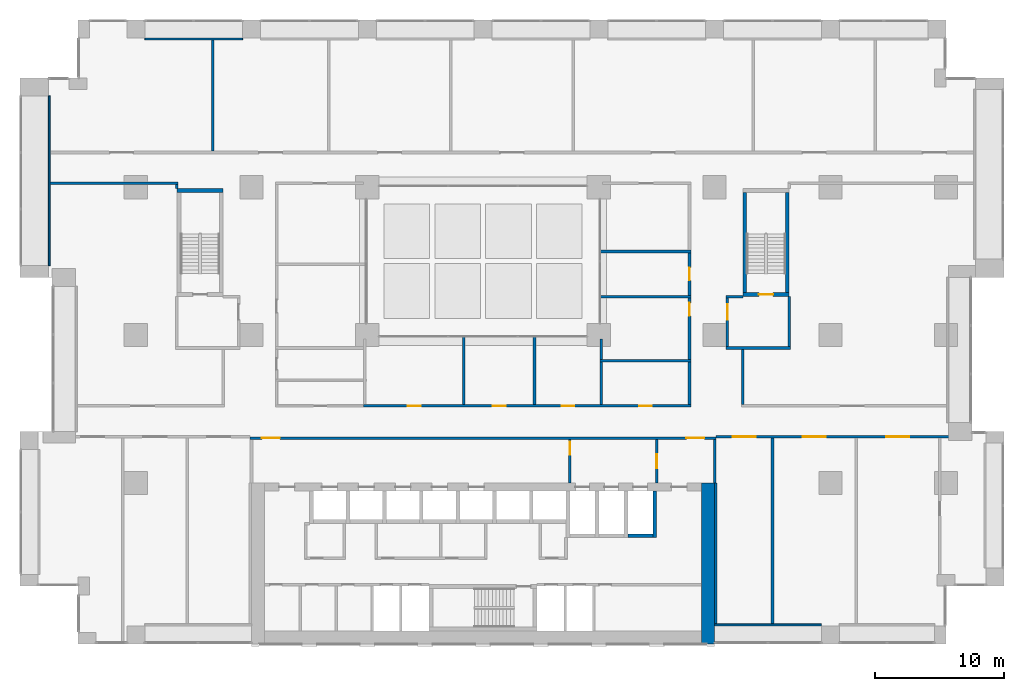
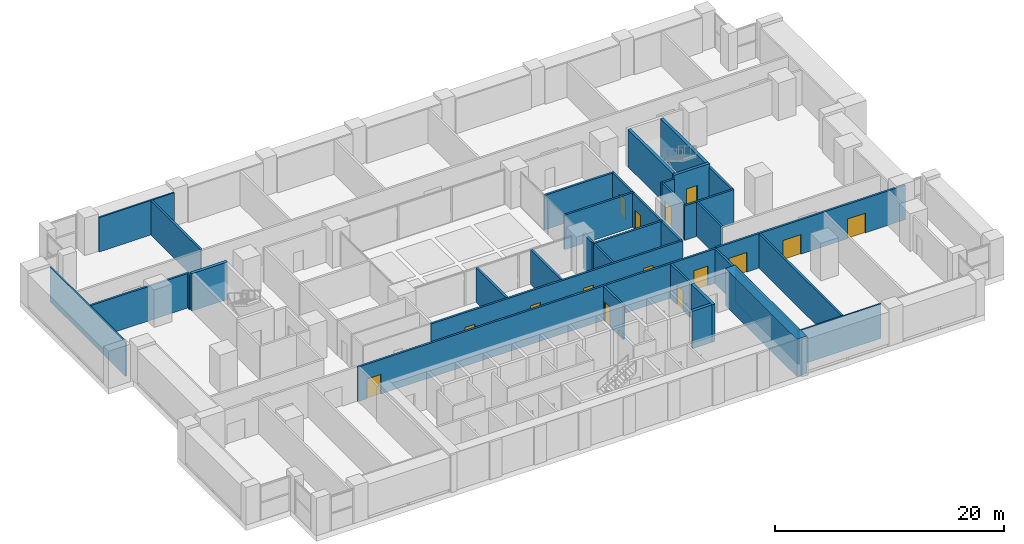
# One storey, part 22 of 24: 36 walls, 15 doors, 15 openings.
"""IFC4 building model written with IfcOpenShell, lengths in metres."""

from ifc_helpers import new_model, si_unit, direction, frame, frame_2d, origin, place, context, subcontext, project, spatial, rectangle, extrude, material, layer, layer_set, type_object, element, fill, save


model = new_model("IFC4")

# Units and contexts
model_context = context("Model", 3, precision=1e-05, world=origin(), true_north=direction((0.0, 1.0)))
body_context = subcontext(model_context, "Body", "Model", "MODEL_VIEW")
ifc_project = project(units=[si_unit("LENGTHUNIT", "METRE"), si_unit("AREAUNIT", "SQUARE_METRE"), si_unit("VOLUMEUNIT", "CUBIC_METRE"), si_unit("PLANEANGLEUNIT", "RADIAN"), si_unit("MASSUNIT", "GRAM", prefix="KILO")], contexts=[model_context])

# Site, building, storey
site_placement = place(None, origin())
site = spatial("IfcSite", under=ifc_project, at=site_placement, CompositionType="ELEMENT")
building_placement = place(site_placement, origin())
building = spatial("IfcBuilding", under=site, at=building_placement, Name="Brigalow Station Residences", CompositionType="ELEMENT")
storey_placement = place(building_placement, frame((0.0, 0.0, 15.5)))
storey = spatial("IfcBuildingStorey", under=building, at=storey_placement, Name="L03", CompositionType="ELEMENT", Elevation=15.5)

# Walls
ifc_material_1 = material(Name="Concrete C80", Category="concrete")
ifc_layer_1 = layer(ifc_material_1, 1.0)
ifc_layer_set_1 = layer_set([ifc_layer_1], Name="CORE SHEAR WALL 1000 C80")
wall_type_1 = type_object("IfcWallType", Name="CORE SHEAR WALL 1000 C80", PredefinedType="SHEAR", material=ifc_layer_set_1)
wall_1_placement = place(storey_placement, frame((53.5, 0.0, 0.0), z_axis=(0.0, 0.0, 1.0), x_axis=(0.0, 1.0, 0.0)))
element("IfcWall", 1, at=wall_1_placement, inside=storey, type_object=wall_type_1, Name="CORE WALL OUT-E L03", PredefinedType="SHEAR", context=body_context, shape_type="SweptSolid", body=[
    extrude(rectangle(XDim=12.5, YDim=1.0, at=frame_2d((6.25, 0.0))), origin(), (0.0, 0.0, 1.0), 4.0),
])
ifc_material_2 = material(Name="Concrete C80", Category="concrete")
ifc_layer_2 = layer(ifc_material_2, 0.300048828125)
ifc_layer_set_2 = layer_set([ifc_layer_2], Name="CORE SHEAR WALL 300 C80")
wall_type_2 = type_object("IfcWallType", Name="CORE SHEAR WALL 300 C80", PredefinedType="SHEAR", material=ifc_layer_set_2)
wall_2_placement = place(storey_placement, frame((47.25, 8.39990234375, 0.0), z_axis=(0.0, 0.0, 1.0), x_axis=(1.0, 0.0, 0.0)))
element("IfcWall", 2, at=wall_2_placement, inside=storey, type_object=wall_type_2, Name="CORE WALL SH-SL1-S L03", PredefinedType="SHEAR", context=body_context, shape_type="SweptSolid", body=[
    extrude(rectangle(XDim=1.949951171875, YDim=0.300048828125, at=frame_2d((0.97509765625, 0.0))), origin(), (0.0, 0.0, 1.0), 4.0),
])
wall_3_placement = place(storey_placement, frame((49.35009765625, 8.25, 0.0), z_axis=(0.0, 0.0, 1.0), x_axis=(0.0, 1.0, 0.0)))
element("IfcWall", 3, at=wall_3_placement, inside=storey, type_object=wall_type_2, Name="CORE WALL SH-SL1-E L03", PredefinedType="SHEAR", context=body_context, shape_type="SweptSolid", body=[
    extrude(rectangle(XDim=3.64990234375, YDim=0.300048828125, at=frame_2d((1.824951171875, 0.0))), origin(), (0.0, 0.0, 1.0), 4.0),
])
wall_4_placement = place(storey_placement, frame((12.199951171875, 35.25, 0.0), z_axis=(0.0, 0.0, 1.0), x_axis=(1.0, 0.0, 0.0)))
element("IfcWall", 4, at=wall_4_placement, inside=storey, type_object=wall_type_2, Name="CORE WALL ST-S1-N L03", PredefinedType="SHEAR", context=body_context, shape_type="SweptSolid", body=[
    extrude(rectangle(XDim=3.60009765625, YDim=0.300048828125, at=frame_2d((1.800048828125, 0.0))), origin(), (0.0, 0.0, 1.0), 4.0),
])

# Wall, opening, door
wall_5_placement = place(storey_placement, frame((56.199951171875, 27.14990234375, 0.0), z_axis=(0.0, 0.0, 1.0), x_axis=(1.0, 0.0, 0.0)))
wall_5 = element("IfcWall", 5, at=wall_5_placement, inside=storey, type_object=wall_type_2, Name="CORE WALL ST-S3-S L03", PredefinedType="SHEAR", context=body_context, shape_type="SweptSolid", body=[
    extrude(rectangle(XDim=3.60009765625, YDim=0.300048828125, at=frame_2d((1.800048828125, 0.0))), origin(), (0.0, 0.0, 1.0), 4.0),
])
opening_1_placement = place(wall_5_placement, frame((1.25, 0.0, 0.0)))
opening_1 = element("IfcOpeningElement", 6, at=opening_1_placement, cuts=wall_5, Name="Opening D-5018", PredefinedType="OPENING", context=body_context, shape_type="SweptSolid", body=[
    extrude(rectangle(XDim=1.10009765625, YDim=2.10009765625, at=frame_2d((0.550048828125, 1.050048828125))), frame((0.0, 0.16015625, 0.0), z_axis=(0.0, -1.0, 0.0), x_axis=(1.0, 0.0, 0.0)), (0.0, 0.0, 1.0), 0.320068359375),
])
ifc_material_3 = material(Name="Steel fire door leaf in steel frame", Category="steel")
door_type_1 = type_object("IfcDoorType", Name="STAIR DOOR 1100 x 2100 FD60S", OperationType="SINGLE_SWING_LEFT", PredefinedType="DOOR", material=ifc_material_3)
door_1_placement = place(opening_1_placement, origin())
door_1 = element("IfcDoor", 7, at=door_1_placement, inside=storey, type_object=door_type_1, Name="D-5018", OperationType="SINGLE_SWING_LEFT", OverallHeight=2.10009765625, OverallWidth=1.10009765625, PredefinedType="DOOR", context=body_context, shape_type="SweptSolid", body=[
    extrude(rectangle(XDim=1.10009765625, YDim=2.10009765625, at=frame_2d((0.550048828125, 1.050048828125))), frame((0.0, 0.02490234375, 0.0), z_axis=(0.0, -1.0, 0.0), x_axis=(1.0, 0.0, 0.0)), (0.0, 0.0, 1.0), 0.050048828125),
])
fill(opening_1, door_1)

# Walls
for number, where, z_axis, x_axis, name in (
    (8, (56.35009765625, 27.300048828125, 0.0), (0.0, 0.0, 1.0), (0.0, 1.0, 0.0), "CORE WALL ST-S3-W L03"),
    (9, (59.64990234375, 27.300048828125, 0.0), (0.0, 0.0, 1.0), (0.0, 1.0, 0.0), "CORE WALL ST-S3-E L03"),
):
    element("IfcWall", number, at=place(storey_placement, frame(where, z_axis=z_axis, x_axis=x_axis)), inside=storey, type_object=wall_type_2, Name=name, PredefinedType="SHEAR", context=body_context, shape_type="SweptSolid", body=[
        extrude(rectangle(XDim=7.800048828125, YDim=0.300048828125, at=frame_2d((3.89990234375, 0.0))), origin(), (0.0, 0.0, 1.0), 4.0),
    ])
ifc_material_4 = material(Name="Concrete blockwork", Category="masonry")
ifc_layer_3 = layer(ifc_material_4, 0.199951171875)
ifc_layer_set_3 = layer_set([ifc_layer_3], Name="FIRE RATED CORE PARTITION 200")
wall_type_3 = type_object("IfcWallType", Name="FIRE RATED CORE PARTITION 200", PredefinedType="PARTITIONING", material=ifc_layer_set_3)
wall_6_placement = place(storey_placement, frame((54.89990234375, 23.0, 0.0), z_axis=(0.0, 0.0, 1.0), x_axis=(1.0, 0.0, 0.0)))
element("IfcWall", 10, at=wall_6_placement, inside=storey, type_object=wall_type_3, Name="PW-5024", PredefinedType="PARTITIONING", context=body_context, shape_type="SweptSolid", body=[
    extrude(rectangle(XDim=5.0, YDim=0.199951171875, at=frame_2d((2.5, 0.0))), origin(), (0.0, 0.0, 1.0), 3.679931640625),
])
wall_7_placement = place(storey_placement, frame((54.89990234375, 27.0, 0.0), z_axis=(0.0, 0.0, 1.0), x_axis=(1.0, 0.0, 0.0)))
element("IfcWall", 11, at=wall_7_placement, inside=storey, type_object=wall_type_3, Name="PW-5026", PredefinedType="PARTITIONING", context=body_context, shape_type="SweptSolid", body=[
    extrude(rectangle(XDim=1.300048828125, YDim=0.199951171875, at=frame_2d((0.64990234375, 0.0))), origin(), (0.0, 0.0, 1.0), 3.679931640625),
])

# Wall, opening, door
wall_8_placement = place(storey_placement, frame((42.75, 12.5, 0.0), z_axis=(0.0, 0.0, 1.0), x_axis=(0.0, 1.0, 0.0)))
wall_8 = element("IfcWall", 12, at=wall_8_placement, inside=storey, type_object=wall_type_3, Name="PW-5014", PredefinedType="PARTITIONING", context=body_context, shape_type="SweptSolid", body=[
    extrude(rectangle(XDim=3.39990234375, YDim=0.199951171875, at=frame_2d((1.699951171875, 0.0))), origin(), (0.0, 0.0, 1.0), 3.679931640625),
])
opening_2_placement = place(wall_8_placement, frame((2.199951171875, 0.0, 0.0)))
opening_2 = element("IfcOpeningElement", 13, at=opening_2_placement, cuts=wall_8, Name="Opening D-5013", PredefinedType="OPENING", context=body_context, shape_type="SweptSolid", body=[
    extrude(rectangle(XDim=1.0, YDim=2.10009765625, at=frame_2d((0.5, 1.050048828125))), frame((0.0, 0.10986328125, 0.0), z_axis=(0.0, -1.0, 0.0), x_axis=(1.0, 0.0, 0.0)), (0.0, 0.0, 1.0), 0.219970703125),
])
ifc_material_5 = material(Name="Steel fire door leaf in steel frame", Category="steel")
door_type_2 = type_object("IfcDoorType", Name="LOBBY DOOR 1000 x 2100 FD60S", OperationType="SINGLE_SWING_LEFT", PredefinedType="DOOR", material=ifc_material_5)
door_2_placement = place(opening_2_placement, origin())
door_2 = element("IfcDoor", 14, at=door_2_placement, inside=storey, type_object=door_type_2, Name="D-5013", OperationType="SINGLE_SWING_RIGHT", OverallHeight=2.10009765625, OverallWidth=1.0, PredefinedType="DOOR", context=body_context, shape_type="SweptSolid", body=[
    extrude(rectangle(XDim=1.0, YDim=2.10009765625, at=frame_2d((0.5, 1.050048828125))), frame((0.0, 0.02490234375, 0.0), z_axis=(0.0, -1.0, 0.0), x_axis=(1.0, 0.0, 0.0)), (0.0, 0.0, 1.0), 0.050048828125),
])
fill(opening_2, door_2)

wall_9_placement = place(storey_placement, frame((49.5, 12.5, 0.0), z_axis=(0.0, 0.0, 1.0), x_axis=(0.0, 1.0, 0.0)))
wall_9 = element("IfcWall", 15, at=wall_9_placement, inside=storey, type_object=wall_type_3, Name="PW-5015", PredefinedType="PARTITIONING", context=body_context, shape_type="SweptSolid", body=[
    extrude(rectangle(XDim=3.39990234375, YDim=0.199951171875, at=frame_2d((1.699951171875, 0.0))), origin(), (0.0, 0.0, 1.0), 3.679931640625),
])
opening_3_placement = place(wall_9_placement, frame((1.14990234375, 0.0, 0.0)))
opening_3 = element("IfcOpeningElement", 16, at=opening_3_placement, cuts=wall_9, Name="Opening D-5014", PredefinedType="OPENING", context=body_context, shape_type="SweptSolid", body=[
    extrude(rectangle(XDim=1.10009765625, YDim=2.10009765625, at=frame_2d((0.550048828125, 1.050048828125))), frame((0.0, 0.10986328125, 0.0), z_axis=(0.0, -1.0, 0.0), x_axis=(1.0, 0.0, 0.0)), (0.0, 0.0, 1.0), 0.219970703125),
])
ifc_material_6 = material(Name="Steel fire door leaf in steel frame", Category="steel")
door_type_3 = type_object("IfcDoorType", Name="LOBBY DOOR 1100 x 2100 FD60S", OperationType="SINGLE_SWING_LEFT", PredefinedType="DOOR", material=ifc_material_6)
door_3_placement = place(opening_3_placement, origin())
door_3 = element("IfcDoor", 17, at=door_3_placement, inside=storey, type_object=door_type_3, Name="D-5014", OperationType="SINGLE_SWING_LEFT", OverallHeight=2.10009765625, OverallWidth=1.10009765625, PredefinedType="DOOR", context=body_context, shape_type="SweptSolid", body=[
    extrude(rectangle(XDim=1.10009765625, YDim=2.10009765625, at=frame_2d((0.550048828125, 1.050048828125))), frame((0.0, 0.02490234375, 0.0), z_axis=(0.0, -1.0, 0.0), x_axis=(1.0, 0.0, 0.0)), (0.0, 0.0, 1.0), 0.050048828125),
])
fill(opening_3, door_3)

# Wall
wall_10_placement = place(storey_placement, frame((54.0, 12.5, 0.0), z_axis=(0.0, 0.0, 1.0), x_axis=(0.0, 1.0, 0.0)))
element("IfcWall", 18, at=wall_10_placement, inside=storey, type_object=wall_type_3, Name="PW-5016", PredefinedType="PARTITIONING", context=body_context, shape_type="SweptSolid", body=[
    extrude(rectangle(XDim=3.39990234375, YDim=0.199951171875, at=frame_2d((1.699951171875, 0.0))), origin(), (0.0, 0.0, 1.0), 3.679931640625),
])

# Wall, opening, door
wall_11_placement = place(storey_placement, frame((55.0, 23.10009765625, 0.0), z_axis=(0.0, 0.0, 1.0), x_axis=(0.0, 1.0, 0.0)))
wall_11 = element("IfcWall", 19, at=wall_11_placement, inside=storey, type_object=wall_type_3, Name="PW-5036", PredefinedType="PARTITIONING", context=body_context, shape_type="SweptSolid", body=[
    extrude(rectangle(XDim=3.7998046875, YDim=0.199951171875, at=frame_2d((1.89990234375, 0.0))), origin(), (0.0, 0.0, 1.0), 3.679931640625),
])
opening_4_placement = place(wall_11_placement, frame((2.10009765625, 0.0, 0.0)))
opening_4 = element("IfcOpeningElement", 20, at=opening_4_placement, cuts=wall_11, Name="Opening D-5019", PredefinedType="OPENING", context=body_context, shape_type="SweptSolid", body=[
    extrude(rectangle(XDim=1.199951171875, YDim=2.10009765625, at=frame_2d((0.60009765625, 1.050048828125))), frame((0.0, 0.10986328125, 0.0), z_axis=(0.0, -1.0, 0.0), x_axis=(1.0, 0.0, 0.0)), (0.0, 0.0, 1.0), 0.219970703125),
])
ifc_material_7 = material(Name="Steel fire door leaf in steel frame", Category="steel")
door_type_4 = type_object("IfcDoorType", Name="STAIR LOBBY DOOR 1200 x 2100 FD60S", OperationType="SINGLE_SWING_LEFT", PredefinedType="DOOR", material=ifc_material_7)
door_4_placement = place(opening_4_placement, origin())
door_4 = element("IfcDoor", 21, at=door_4_placement, inside=storey, type_object=door_type_4, Name="D-5019", OperationType="SINGLE_SWING_LEFT", OverallHeight=2.10009765625, OverallWidth=1.199951171875, PredefinedType="DOOR", context=body_context, shape_type="SweptSolid", body=[
    extrude(rectangle(XDim=1.199951171875, YDim=2.10009765625, at=frame_2d((0.60009765625, 1.050048828125))), frame((0.0, 0.02490234375, 0.0), z_axis=(0.0, -1.0, 0.0), x_axis=(1.0, 0.0, 0.0)), (0.0, 0.0, 1.0), 0.050048828125),
])
fill(opening_4, door_4)

# Wall
wall_12_placement = place(storey_placement, frame((59.800048828125, 23.10009765625, 0.0), z_axis=(0.0, 0.0, 1.0), x_axis=(0.0, 1.0, 0.0)))
element("IfcWall", 22, at=wall_12_placement, inside=storey, type_object=wall_type_3, Name="PW-5037", PredefinedType="PARTITIONING", context=body_context, shape_type="SweptSolid", body=[
    extrude(rectangle(XDim=3.89990234375, YDim=0.199951171875, at=frame_2d((1.949951171875, 0.0))), origin(), (0.0, 0.0, 1.0), 3.679931640625),
])

# Wall, openings, doors
wall_13_placement = place(storey_placement, frame((17.89990234375, 16.0, 0.0), z_axis=(0.0, 0.0, 1.0), x_axis=(1.0, 0.0, 0.0)))
wall_13 = element("IfcWall", 23, at=wall_13_placement, inside=storey, type_object=wall_type_3, Name="PW-5038", PredefinedType="PARTITIONING", context=body_context, shape_type="SweptSolid", body=[
    extrude(rectangle(XDim=36.2001953125, YDim=0.199951171875, at=frame_2d((18.10009765625, 0.0))), origin(), (0.0, 0.0, 1.0), 3.679931640625),
])
opening_5_placement = place(wall_13_placement, frame((0.89990234375, 0.0, 0.0)))
opening_5 = element("IfcOpeningElement", 24, at=opening_5_placement, cuts=wall_13, Name="Opening D-5029", PredefinedType="OPENING", context=body_context, shape_type="SweptSolid", body=[
    extrude(rectangle(XDim=1.39990234375, YDim=2.10009765625, at=frame_2d((0.699951171875, 1.050048828125))), frame((0.0, 0.10986328125, 0.0), z_axis=(0.0, -1.0, 0.0), x_axis=(1.0, 0.0, 0.0)), (0.0, 0.0, 1.0), 0.219970703125),
])
opening_6_placement = place(wall_13_placement, frame((33.89990234375, 0.0, 0.0)))
opening_6 = element("IfcOpeningElement", 25, at=opening_6_placement, cuts=wall_13, Name="Opening D-5030", PredefinedType="OPENING", context=body_context, shape_type="SweptSolid", body=[
    extrude(rectangle(XDim=1.39990234375, YDim=2.10009765625, at=frame_2d((0.699951171875, 1.050048828125))), frame((0.0, 0.10986328125, 0.0), z_axis=(0.0, -1.0, 0.0), x_axis=(1.0, 0.0, 0.0)), (0.0, 0.0, 1.0), 0.219970703125),
])
ifc_material_8 = material(Name="Steel fire door leaves in steel frame", Category="steel")
door_type_5 = type_object("IfcDoorType", Name="CORRIDOR FIRE DOOR 1400 x 2100 FD60S", OperationType="SINGLE_SWING_LEFT", PredefinedType="DOOR", material=ifc_material_8)
door_5_placement = place(opening_5_placement, frame((1.39990234375, 0.0, 0.0), z_axis=(0.0, 0.0, 1.0), x_axis=(-1.0, 0.0, 0.0)))
door_5 = element("IfcDoor", 26, at=door_5_placement, inside=storey, type_object=door_type_5, Name="D-5029", OperationType="SINGLE_SWING_RIGHT", OverallHeight=2.10009765625, OverallWidth=1.39990234375, PredefinedType="DOOR", context=body_context, shape_type="SweptSolid", body=[
    extrude(rectangle(XDim=1.39990234375, YDim=2.10009765625, at=frame_2d((0.699951171875, 1.050048828125))), frame((0.0, 0.02490234375, 0.0), z_axis=(0.0, -1.0, 0.0), x_axis=(1.0, 0.0, 0.0)), (0.0, 0.0, 1.0), 0.050048828125),
])
fill(opening_5, door_5)
door_6_placement = place(opening_6_placement, origin())
door_6 = element("IfcDoor", 27, at=door_6_placement, inside=storey, type_object=door_type_5, Name="D-5030", OperationType="SINGLE_SWING_RIGHT", OverallHeight=2.10009765625, OverallWidth=1.39990234375, PredefinedType="DOOR", context=body_context, shape_type="SweptSolid", body=[
    extrude(rectangle(XDim=1.39990234375, YDim=2.10009765625, at=frame_2d((0.699951171875, 1.050048828125))), frame((0.0, 0.02490234375, 0.0), z_axis=(0.0, -1.0, 0.0), x_axis=(1.0, 0.0, 0.0)), (0.0, 0.0, 1.0), 0.050048828125),
])
fill(opening_6, door_6)

wall_14_placement = place(storey_placement, frame((54.10009765625, 16.10009765625, 0.0), z_axis=(0.0, 0.0, 1.0), x_axis=(1.0, 0.0, 0.0)))
wall_14 = element("IfcWall", 28, at=wall_14_placement, inside=storey, type_object=wall_type_3, Name="PW-5065", PredefinedType="PARTITIONING", context=body_context, shape_type="SweptSolid", body=[
    extrude(rectangle(XDim=19.099853515625, YDim=0.199951171875, at=frame_2d((9.5498046875, 0.0))), origin(), (0.0, 0.0, 1.0), 3.679931640625),
])
opening_7_placement = place(wall_14_placement, frame((1.300048828125, 0.0, 0.0)))
opening_7 = element("IfcOpeningElement", 29, at=opening_7_placement, cuts=wall_14, Name="Opening D-5048", PredefinedType="OPENING", context=body_context, shape_type="SweptSolid", body=[
    extrude(rectangle(XDim=1.800048828125, YDim=2.10009765625, at=frame_2d((0.89990234375, 1.050048828125))), frame((0.0, 0.10986328125, 0.0), z_axis=(0.0, -1.0, 0.0), x_axis=(1.0, 0.0, 0.0)), (0.0, 0.0, 1.0), 0.219970703125),
])
opening_8_placement = place(wall_14_placement, frame((6.75, 0.0, 0.0)))
opening_8 = element("IfcOpeningElement", 30, at=opening_8_placement, cuts=wall_14, Name="Opening D-5049", PredefinedType="OPENING", context=body_context, shape_type="SweptSolid", body=[
    extrude(rectangle(XDim=1.800048828125, YDim=2.10009765625, at=frame_2d((0.89990234375, 1.050048828125))), frame((0.0, 0.10986328125, 0.0), z_axis=(0.0, -1.0, 0.0), x_axis=(1.0, 0.0, 0.0)), (0.0, 0.0, 1.0), 0.219970703125),
])
opening_9_placement = place(wall_14_placement, frame((13.25, 0.0, 0.0)))
opening_9 = element("IfcOpeningElement", 31, at=opening_9_placement, cuts=wall_14, Name="Opening D-5050", PredefinedType="OPENING", context=body_context, shape_type="SweptSolid", body=[
    extrude(rectangle(XDim=1.800048828125, YDim=2.10009765625, at=frame_2d((0.89990234375, 1.050048828125))), frame((0.0, 0.10986328125, 0.0), z_axis=(0.0, -1.0, 0.0), x_axis=(1.0, 0.0, 0.0)), (0.0, 0.0, 1.0), 0.219970703125),
])
ifc_material_9 = material(Name="Steel fire door leaf in steel frame", Category="steel")
door_type_6 = type_object("IfcDoorType", Name="PLANT ROOM DOOR 1800 x 2100 FD60", OperationType="DOUBLE_DOOR_SINGLE_SWING", PredefinedType="DOOR", material=ifc_material_9)
door_7_placement = place(opening_7_placement, frame((1.800048828125, 0.0, 0.0), z_axis=(0.0, 0.0, 1.0), x_axis=(-1.0, 0.0, 0.0)))
door_7 = element("IfcDoor", 32, at=door_7_placement, inside=storey, type_object=door_type_6, Name="D-5048", OperationType="DOUBLE_DOOR_SINGLE_SWING", OverallHeight=2.10009765625, OverallWidth=1.800048828125, PredefinedType="DOOR", context=body_context, shape_type="SweptSolid", body=[
    extrude(rectangle(XDim=1.800048828125, YDim=2.10009765625, at=frame_2d((0.89990234375, 1.050048828125))), frame((0.0, 0.02490234375, 0.0), z_axis=(0.0, -1.0, 0.0), x_axis=(1.0, 0.0, 0.0)), (0.0, 0.0, 1.0), 0.050048828125),
])
fill(opening_7, door_7)
door_8_placement = place(opening_8_placement, frame((1.800048828125, 0.0, 0.0), z_axis=(0.0, 0.0, 1.0), x_axis=(-1.0, 0.0, 0.0)))
door_8 = element("IfcDoor", 33, at=door_8_placement, inside=storey, type_object=door_type_6, Name="D-5049", OperationType="DOUBLE_DOOR_SINGLE_SWING", OverallHeight=2.10009765625, OverallWidth=1.800048828125, PredefinedType="DOOR", context=body_context, shape_type="SweptSolid", body=[
    extrude(rectangle(XDim=1.800048828125, YDim=2.10009765625, at=frame_2d((0.89990234375, 1.050048828125))), frame((0.0, 0.02490234375, 0.0), z_axis=(0.0, -1.0, 0.0), x_axis=(1.0, 0.0, 0.0)), (0.0, 0.0, 1.0), 0.050048828125),
])
fill(opening_8, door_8)
door_9_placement = place(opening_9_placement, frame((1.800048828125, 0.0, 0.0), z_axis=(0.0, 0.0, 1.0), x_axis=(-1.0, 0.0, 0.0)))
door_9 = element("IfcDoor", 34, at=door_9_placement, inside=storey, type_object=door_type_6, Name="D-5050", OperationType="DOUBLE_DOOR_SINGLE_SWING", OverallHeight=2.10009765625, OverallWidth=1.800048828125, PredefinedType="DOOR", context=body_context, shape_type="SweptSolid", body=[
    extrude(rectangle(XDim=1.800048828125, YDim=2.10009765625, at=frame_2d((0.89990234375, 1.050048828125))), frame((0.0, 0.02490234375, 0.0), z_axis=(0.0, -1.0, 0.0), x_axis=(1.0, 0.0, 0.0)), (0.0, 0.0, 1.0), 0.050048828125),
])
fill(opening_9, door_9)

wall_15_placement = place(storey_placement, frame((26.699951171875, 18.5, 0.0), z_axis=(0.0, 0.0, 1.0), x_axis=(1.0, 0.0, 0.0)))
wall_15 = element("IfcWall", 35, at=wall_15_placement, inside=storey, type_object=wall_type_3, Name="PW-5067", PredefinedType="PARTITIONING", context=body_context, shape_type="SweptSolid", body=[
    extrude(rectangle(XDim=25.449951171875, YDim=0.199951171875, at=frame_2d((12.72509765625, 0.0))), origin(), (0.0, 0.0, 1.0), 3.679931640625),
])
opening_10_placement = place(wall_15_placement, frame((21.425048828125, 0.0, 0.0)))
opening_10 = element("IfcOpeningElement", 36, at=opening_10_placement, cuts=wall_15, Name="Opening D-5056", PredefinedType="OPENING", context=body_context, shape_type="SweptSolid", body=[
    extrude(rectangle(XDim=1.0, YDim=2.10009765625, at=frame_2d((0.5, 1.050048828125))), frame((0.0, 0.10986328125, 0.0), z_axis=(0.0, -1.0, 0.0), x_axis=(1.0, 0.0, 0.0)), (0.0, 0.0, 1.0), 0.219970703125),
])
opening_11_placement = place(wall_15_placement, frame((3.449951171875, 0.0, 0.0)))
opening_11 = element("IfcOpeningElement", 37, at=opening_11_placement, cuts=wall_15, Name="Opening D-5060", PredefinedType="OPENING", context=body_context, shape_type="SweptSolid", body=[
    extrude(rectangle(XDim=1.0, YDim=2.10009765625, at=frame_2d((0.5, 1.050048828125))), frame((0.0, 0.10986328125, 0.0), z_axis=(0.0, -1.0, 0.0), x_axis=(1.0, 0.0, 0.0)), (0.0, 0.0, 1.0), 0.219970703125),
])
opening_12_placement = place(wall_15_placement, frame((10.050048828125, 0.0, 0.0)))
opening_12 = element("IfcOpeningElement", 38, at=opening_12_placement, cuts=wall_15, Name="Opening D-5061", PredefinedType="OPENING", context=body_context, shape_type="SweptSolid", body=[
    extrude(rectangle(XDim=1.0, YDim=2.10009765625, at=frame_2d((0.5, 1.050048828125))), frame((0.0, 0.10986328125, 0.0), z_axis=(0.0, -1.0, 0.0), x_axis=(1.0, 0.0, 0.0)), (0.0, 0.0, 1.0), 0.219970703125),
])
opening_13_placement = place(wall_15_placement, frame((15.39990234375, 0.0, 0.0)))
opening_13 = element("IfcOpeningElement", 39, at=opening_13_placement, cuts=wall_15, Name="Opening D-5062", PredefinedType="OPENING", context=body_context, shape_type="SweptSolid", body=[
    extrude(rectangle(XDim=1.0, YDim=2.10009765625, at=frame_2d((0.5, 1.050048828125))), frame((0.0, 0.10986328125, 0.0), z_axis=(0.0, -1.0, 0.0), x_axis=(1.0, 0.0, 0.0)), (0.0, 0.0, 1.0), 0.219970703125),
])
ifc_material_10 = material(Name="Steel fire door leaf in steel frame", Category="steel")
door_type_7 = type_object("IfcDoorType", Name="PLANT ROOM DOOR 1000 x 2100 FD60", OperationType="SINGLE_SWING_LEFT", PredefinedType="DOOR", material=ifc_material_10)
door_10_placement = place(opening_10_placement, origin())
door_10 = element("IfcDoor", 40, at=door_10_placement, inside=storey, type_object=door_type_7, Name="D-5056", OperationType="SINGLE_SWING_RIGHT", OverallHeight=2.10009765625, OverallWidth=1.0, PredefinedType="DOOR", context=body_context, shape_type="SweptSolid", body=[
    extrude(rectangle(XDim=1.0, YDim=2.10009765625, at=frame_2d((0.5, 1.050048828125))), frame((0.0, 0.02490234375, 0.0), z_axis=(0.0, -1.0, 0.0), x_axis=(1.0, 0.0, 0.0)), (0.0, 0.0, 1.0), 0.050048828125),
])
fill(opening_10, door_10)
door_11_placement = place(opening_11_placement, origin())
door_11 = element("IfcDoor", 41, at=door_11_placement, inside=storey, type_object=door_type_7, Name="D-5060", OperationType="SINGLE_SWING_RIGHT", OverallHeight=2.10009765625, OverallWidth=1.0, PredefinedType="DOOR", context=body_context, shape_type="SweptSolid", body=[
    extrude(rectangle(XDim=1.0, YDim=2.10009765625, at=frame_2d((0.5, 1.050048828125))), frame((0.0, 0.02490234375, 0.0), z_axis=(0.0, -1.0, 0.0), x_axis=(1.0, 0.0, 0.0)), (0.0, 0.0, 1.0), 0.050048828125),
])
fill(opening_11, door_11)
door_12_placement = place(opening_12_placement, origin())
door_12 = element("IfcDoor", 42, at=door_12_placement, inside=storey, type_object=door_type_7, Name="D-5061", OperationType="SINGLE_SWING_RIGHT", OverallHeight=2.10009765625, OverallWidth=1.0, PredefinedType="DOOR", context=body_context, shape_type="SweptSolid", body=[
    extrude(rectangle(XDim=1.0, YDim=2.10009765625, at=frame_2d((0.5, 1.050048828125))), frame((0.0, 0.02490234375, 0.0), z_axis=(0.0, -1.0, 0.0), x_axis=(1.0, 0.0, 0.0)), (0.0, 0.0, 1.0), 0.050048828125),
])
fill(opening_12, door_12)
door_13_placement = place(opening_13_placement, origin())
door_13 = element("IfcDoor", 43, at=door_13_placement, inside=storey, type_object=door_type_7, Name="D-5062", OperationType="SINGLE_SWING_RIGHT", OverallHeight=2.10009765625, OverallWidth=1.0, PredefinedType="DOOR", context=body_context, shape_type="SweptSolid", body=[
    extrude(rectangle(XDim=1.0, YDim=2.10009765625, at=frame_2d((0.5, 1.050048828125))), frame((0.0, 0.02490234375, 0.0), z_axis=(0.0, -1.0, 0.0), x_axis=(1.0, 0.0, 0.0)), (0.0, 0.0, 1.0), 0.050048828125),
])
fill(opening_13, door_13)

# Walls
wall_16_placement = place(storey_placement, frame((45.10009765625, 22.0, 0.0), z_axis=(0.0, 0.0, 1.0), x_axis=(1.0, 0.0, 0.0)))
element("IfcWall", 44, at=wall_16_placement, inside=storey, type_object=wall_type_3, Name="PW-5071", PredefinedType="PARTITIONING", context=body_context, shape_type="SweptSolid", body=[
    extrude(rectangle(XDim=7.0498046875, YDim=0.199951171875, at=frame_2d((3.52490234375, 0.0))), origin(), (0.0, 0.0, 1.0), 3.679931640625),
])
for number, where, z_axis, x_axis, name in (
    (45, (45.095947265625, 27.0, 0.0), (0.0, 0.0, 1.0), (1.0, 0.0, 0.0), "PW-5073"),
    (46, (45.095947265625, 30.5, 0.0), (0.0, 0.0, 1.0), (1.0, 0.0, 0.0), "PW-5075"),
):
    element("IfcWall", number, at=place(storey_placement, frame(where, z_axis=z_axis, x_axis=x_axis)), inside=storey, type_object=wall_type_3, Name=name, PredefinedType="PARTITIONING", context=body_context, shape_type="SweptSolid", body=[
        extrude(rectangle(XDim=7.053955078125, YDim=0.199951171875, at=frame_2d((3.52685546875, 0.0))), origin(), (0.0, 0.0, 1.0), 3.679931640625),
    ])
wall_17_placement = place(storey_placement, frame((2.35009765625, 35.800048828125, 0.0), z_axis=(0.0, 0.0, 1.0), x_axis=(1.0, 0.0, 0.0)))
element("IfcWall", 47, at=wall_17_placement, inside=storey, type_object=wall_type_3, Name="PW-5076", PredefinedType="PARTITIONING", context=body_context, shape_type="SweptSolid", body=[
    extrude(rectangle(XDim=9.949951171875, YDim=0.199951171875, at=frame_2d((4.97509765625, 0.0))), origin(), (0.0, 0.0, 1.0), 3.679931640625),
])
wall_18_placement = place(storey_placement, frame((54.10009765625, 1.550048828125, 0.0), z_axis=(0.0, 0.0, 1.0), x_axis=(0.0, 1.0, 0.0)))
element("IfcWall", 48, at=wall_18_placement, inside=storey, type_object=wall_type_3, Name="PW-5084", PredefinedType="PARTITIONING", context=body_context, shape_type="SweptSolid", body=[
    extrude(rectangle(XDim=10.949951171875, YDim=0.199951171875, at=frame_2d((5.47509765625, 0.0))), origin(), (0.0, 0.0, 1.0), 3.679931640625),
])
wall_19_placement = place(storey_placement, frame((58.5, 1.550048828125, 0.0), z_axis=(0.0, 0.0, 1.0), x_axis=(0.0, 1.0, 0.0)))
element("IfcWall", 49, at=wall_19_placement, inside=storey, type_object=wall_type_3, Name="PW-5085", PredefinedType="PARTITIONING", context=body_context, shape_type="SweptSolid", body=[
    extrude(rectangle(XDim=14.449951171875, YDim=0.199951171875, at=frame_2d((7.22509765625, 0.0))), origin(), (0.0, 0.0, 1.0), 3.679931640625),
])
for number, where, z_axis, x_axis, name in (
    (50, (34.5, 18.60009765625, 0.0), (0.0, 0.0, 1.0), (0.0, 1.0, 0.0), "PW-5091"),
    (51, (40.0, 18.60009765625, 0.0), (0.0, 0.0, 1.0), (0.0, 1.0, 0.0), "PW-5092"),
):
    element("IfcWall", number, at=place(storey_placement, frame(where, z_axis=z_axis, x_axis=x_axis)), inside=storey, type_object=wall_type_3, Name=name, PredefinedType="PARTITIONING", context=body_context, shape_type="SweptSolid", body=[
        extrude(rectangle(XDim=5.303955078125, YDim=0.199951171875, at=frame_2d((2.65185546875, 0.0))), origin(), (0.0, 0.0, 1.0), 3.679931640625),
    ])
for number, where, z_axis, x_axis, name in (
    (52, (45.199951171875, 18.60009765625, 0.0), (0.0, 0.0, 1.0), (0.0, 1.0, 0.0), "PW-5093"),
    (53, (52.050048828125, 18.60009765625, 0.0), (0.0, 0.0, 1.0), (0.0, 1.0, 0.0), "PW-5094"),
):
    element("IfcWall", number, at=place(storey_placement, frame(where, z_axis=z_axis, x_axis=x_axis)), inside=storey, type_object=wall_type_3, Name=name, PredefinedType="PARTITIONING", context=body_context, shape_type="SweptSolid", body=[
        extrude(rectangle(XDim=3.2998046875, YDim=0.199951171875, at=frame_2d((1.64990234375, 0.0))), origin(), (0.0, 0.0, 1.0), 3.679931640625),
    ])
wall_20_placement = place(storey_placement, frame((56.199951171875, 18.60009765625, 0.0), z_axis=(0.0, 0.0, 1.0), x_axis=(0.0, 1.0, 0.0)))
element("IfcWall", 54, at=wall_20_placement, inside=storey, type_object=wall_type_3, Name="PW-5095", PredefinedType="PARTITIONING", context=body_context, shape_type="SweptSolid", body=[
    extrude(rectangle(XDim=4.2998046875, YDim=0.199951171875, at=frame_2d((2.14990234375, 0.0))), origin(), (0.0, 0.0, 1.0), 3.679931640625),
])
wall_21_placement = place(storey_placement, frame((45.199951171875, 22.10009765625, 0.0), z_axis=(0.0, 0.0, 1.0), x_axis=(0.0, 1.0, 0.0)))
element("IfcWall", 55, at=wall_21_placement, inside=storey, type_object=wall_type_3, Name="PW-5097", PredefinedType="PARTITIONING", context=body_context, shape_type="SweptSolid", body=[
    extrude(rectangle(XDim=1.599853515625, YDim=0.199951171875, at=frame_2d((0.7998046875, 0.0))), origin(), (0.0, 0.0, 1.0), 3.679931640625),
])

# Wall, opening, door
wall_22_placement = place(storey_placement, frame((52.050048828125, 22.10009765625, 0.0), z_axis=(0.0, 0.0, 1.0), x_axis=(0.0, 1.0, 0.0)))
wall_22 = element("IfcWall", 56, at=wall_22_placement, inside=storey, type_object=wall_type_3, Name="PW-5098", PredefinedType="PARTITIONING", context=body_context, shape_type="SweptSolid", body=[
    extrude(rectangle(XDim=4.7998046875, YDim=0.199951171875, at=frame_2d((2.39990234375, 0.0))), origin(), (0.0, 0.0, 1.0), 3.679931640625),
])
opening_14_placement = place(wall_22_placement, frame((3.39990234375, 0.0, 0.0)))
opening_14 = element("IfcOpeningElement", 57, at=opening_14_placement, cuts=wall_22, Name="Opening D-5057", PredefinedType="OPENING", context=body_context, shape_type="SweptSolid", body=[
    extrude(rectangle(XDim=1.0, YDim=2.10009765625, at=frame_2d((0.5, 1.050048828125))), frame((0.0, 0.10986328125, 0.0), z_axis=(0.0, -1.0, 0.0), x_axis=(1.0, 0.0, 0.0)), (0.0, 0.0, 1.0), 0.219970703125),
])
door_14_placement = place(opening_14_placement, origin())
door_14 = element("IfcDoor", 58, at=door_14_placement, inside=storey, type_object=door_type_7, Name="D-5057", OperationType="SINGLE_SWING_RIGHT", OverallHeight=2.10009765625, OverallWidth=1.0, PredefinedType="DOOR", context=body_context, shape_type="SweptSolid", body=[
    extrude(rectangle(XDim=1.0, YDim=2.10009765625, at=frame_2d((0.5, 1.050048828125))), frame((0.0, 0.02490234375, 0.0), z_axis=(0.0, -1.0, 0.0), x_axis=(1.0, 0.0, 0.0)), (0.0, 0.0, 1.0), 0.050048828125),
])
fill(opening_14, door_14)

wall_23_placement = place(storey_placement, frame((52.050048828125, 27.10009765625, 0.0), z_axis=(0.0, 0.0, 1.0), x_axis=(0.0, 1.0, 0.0)))
wall_23 = element("IfcWall", 59, at=wall_23_placement, inside=storey, type_object=wall_type_3, Name="PW-5100", PredefinedType="PARTITIONING", context=body_context, shape_type="SweptSolid", body=[
    extrude(rectangle(XDim=3.2998046875, YDim=0.199951171875, at=frame_2d((1.64990234375, 0.0))), origin(), (0.0, 0.0, 1.0), 3.679931640625),
])
opening_15_placement = place(wall_23_placement, frame((1.14990234375, 0.0, 0.0)))
opening_15 = element("IfcOpeningElement", 60, at=opening_15_placement, cuts=wall_23, Name="Opening D-5058", PredefinedType="OPENING", context=body_context, shape_type="SweptSolid", body=[
    extrude(rectangle(XDim=1.0, YDim=2.10009765625, at=frame_2d((0.5, 1.050048828125))), frame((0.0, 0.10986328125, 0.0), z_axis=(0.0, -1.0, 0.0), x_axis=(1.0, 0.0, 0.0)), (0.0, 0.0, 1.0), 0.219970703125),
])
door_15_placement = place(opening_15_placement, origin())
door_15 = element("IfcDoor", 61, at=door_15_placement, inside=storey, type_object=door_type_7, Name="D-5058", OperationType="SINGLE_SWING_RIGHT", OverallHeight=2.10009765625, OverallWidth=1.0, PredefinedType="DOOR", context=body_context, shape_type="SweptSolid", body=[
    extrude(rectangle(XDim=1.0, YDim=2.10009765625, at=frame_2d((0.5, 1.050048828125))), frame((0.0, 0.02490234375, 0.0), z_axis=(0.0, -1.0, 0.0), x_axis=(1.0, 0.0, 0.0)), (0.0, 0.0, 1.0), 0.050048828125),
])
fill(opening_15, door_15)

# Walls
wall_24_placement = place(storey_placement, frame((12.199951171875, 35.39990234375, 0.0), z_axis=(0.0, 0.0, 1.0), x_axis=(0.0, 1.0, 0.0)))
element("IfcWall", 62, at=wall_24_placement, inside=storey, type_object=wall_type_3, Name="PW-5102", PredefinedType="PARTITIONING", context=body_context, shape_type="SweptSolid", body=[
    extrude(rectangle(XDim=0.300048828125, YDim=0.199951171875, at=frame_2d((0.14990234375, 0.0))), origin(), (0.0, 0.0, 1.0), 3.679931640625),
])
wall_25_placement = place(storey_placement, frame((15.0, 38.300048828125, 0.0), z_axis=(0.0, 0.0, 1.0), x_axis=(0.0, 1.0, 0.0)))
element("IfcWall", 63, at=wall_25_placement, inside=storey, type_object=wall_type_3, Name="PW-5104", PredefinedType="PARTITIONING", context=body_context, shape_type="SweptSolid", body=[
    extrude(rectangle(XDim=8.64990234375, YDim=0.199951171875, at=frame_2d((4.324951171875, 0.0))), origin(), (0.0, 0.0, 1.0), 3.679931640625),
])
ifc_material_11 = material(Name="Plasterboard on steel studs", Category="steel")
ifc_layer_4 = layer(ifc_material_11, 0.14990234375)
ifc_layer_set_4 = layer_set([ifc_layer_4], Name="SERVICE ROOM PARTITION 150")
wall_type_4 = type_object("IfcWallType", Name="SERVICE ROOM PARTITION 150", PredefinedType="PARTITIONING", material=ifc_layer_set_4)
wall_26_placement = place(storey_placement, frame((54.0, 1.47509765625, 0.0), z_axis=(0.0, 0.0, 1.0), x_axis=(1.0, 0.0, 0.0)))
element("IfcWall", 64, at=wall_26_placement, inside=storey, type_object=wall_type_4, Name="PW-5111", PredefinedType="PARTITIONING", context=body_context, shape_type="SweptSolid", body=[
    extrude(rectangle(XDim=8.300048828125, YDim=0.14990234375, at=frame_2d((4.14990234375, 0.0))), origin(), (0.0, 0.0, 1.0), 3.679931640625),
])
wall_27_placement = place(storey_placement, frame((9.699951171875, 47.02490234375, 0.0), z_axis=(0.0, 0.0, 1.0), x_axis=(1.0, 0.0, 0.0)))
element("IfcWall", 65, at=wall_27_placement, inside=storey, type_object=wall_type_4, Name="PW-5122", PredefinedType="PARTITIONING", context=body_context, shape_type="SweptSolid", body=[
    extrude(rectangle(XDim=7.60009765625, YDim=0.14990234375, at=frame_2d((3.800048828125, 0.0))), origin(), (0.0, 0.0, 1.0), 3.679931640625),
])
wall_28_placement = place(storey_placement, frame((2.27490234375, 29.39990234375, 0.0), z_axis=(0.0, 0.0, 1.0), x_axis=(0.0, 1.0, 0.0)))
element("IfcWall", 66, at=wall_28_placement, inside=storey, type_object=wall_type_4, Name="PW-5123", PredefinedType="PARTITIONING", context=body_context, shape_type="SweptSolid", body=[
    extrude(rectangle(XDim=13.2001953125, YDim=0.14990234375, at=frame_2d((6.60009765625, 0.0))), origin(), (0.0, 0.0, 1.0), 3.679931640625),
])

save(model, "model.ifc")
